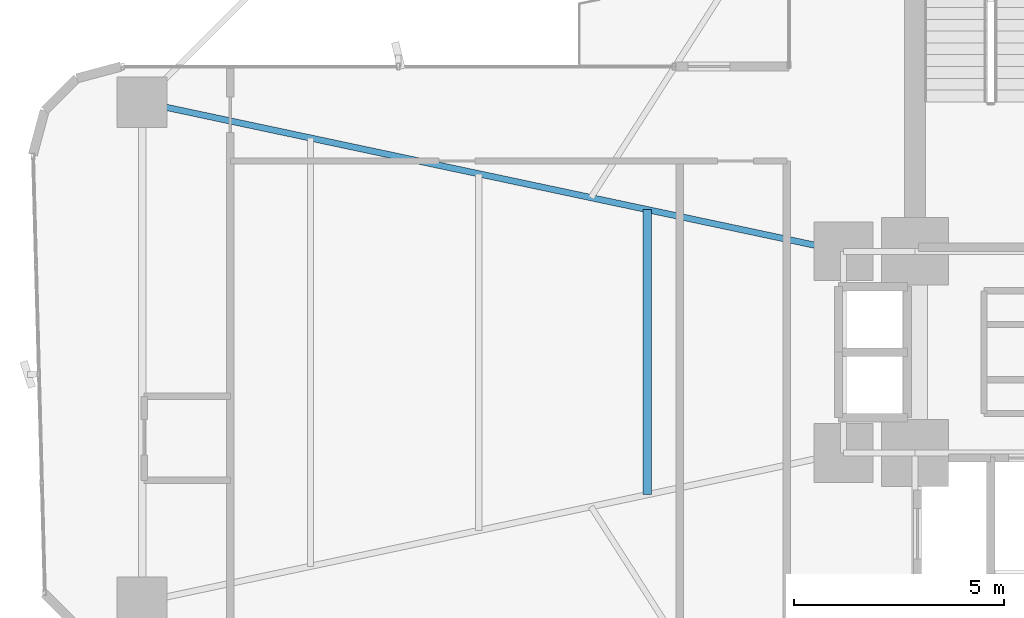
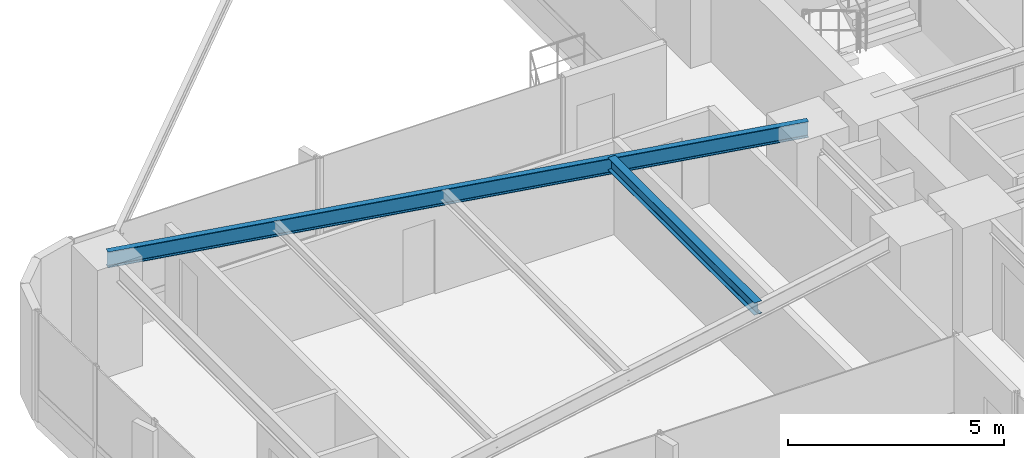
# One storey, part 9 of 25: 2 beams.
"""IFC4 building model written with IfcOpenShell, lengths in metres."""

from ifc_helpers import new_model, si_unit, direction, frame, origin, origin_2d, place, context, subcontext, project, spatial, i_section, extrude, source, transform, mapped, material, material_profile, profile_set, type_object, element, save


model = new_model("IFC4")

# Units and contexts
model_context = context("Model", 3, precision=1e-05, world=origin(), true_north=direction((0.0, 1.0)))
body_context = subcontext(model_context, "Body", "Model", "MODEL_VIEW")
ifc_project = project(units=[si_unit("LENGTHUNIT", "METRE"), si_unit("AREAUNIT", "SQUARE_METRE"), si_unit("VOLUMEUNIT", "CUBIC_METRE"), si_unit("PLANEANGLEUNIT", "RADIAN"), si_unit("MASSUNIT", "GRAM", prefix="KILO")], contexts=[model_context])

# Site, building, storey
site_placement = place(None, origin())
site = spatial("IfcSite", under=ifc_project, at=site_placement, CompositionType="ELEMENT")
building_placement = place(site_placement, origin())
building = spatial("IfcBuilding", under=site, at=building_placement, Name="Sahyath Konkavel Grand Hotel", CompositionType="ELEMENT")
storey_placement = place(building_placement, frame((0.0, 0.0, 36.5)))
storey = spatial("IfcBuildingStorey", under=building, at=storey_placement, Name="L09", CompositionType="ELEMENT", Elevation=36.5)

# Beams
ifc_material = material(Name="Steel E350", Category="steel")
ifc_material_profile_1 = material_profile(ifc_material, i_section(OverallWidth=0.14990234375, OverallDepth=0.449951171875, WebThickness=0.009521484375, FlangeThickness=0.017333984375, FilletRadius=0.014892578125, at=origin_2d()), Name="ISMB 450")
ifc_profile_set_1 = profile_set([ifc_material_profile_1], Name="Steel E350")
beam_type_1 = type_object("IfcBeamType", Name="BM-ISMB450", PredefinedType="BEAM", material=ifc_profile_set_1)
shared_shape_1 = source(origin(), body_context, "Body", "SweptSolid", [
    extrude(i_section(OverallWidth=0.14990234375, OverallDepth=0.449951171875, WebThickness=0.009521484375, FlangeThickness=0.017333984375, FilletRadius=0.014892578125, at=origin_2d()), origin(), (0.0, 0.0, 1.0), 17.072998046875),
])
beam_1_placement = place(storey_placement, frame((-5.5, 2.39990234375, 2.885009765625), z_axis=(-0.978143257225, 0.20793212437, 0.0), x_axis=(-0.20793212437, -0.978143257225, 0.0)))
element("IfcBeam", 1, at=beam_1_placement, inside=storey, type_object=beam_type_1, Name="L09 Cruciform Radial Girder WA", PredefinedType="BEAM", context=body_context, shape_type="MappedRepresentation", body=[
    mapped(shared_shape_1, transform((0.0, 0.0, 0.0), scale=1.0)),
])
ifc_material_profile_2 = material_profile(ifc_material, i_section(OverallWidth=0.199951171875, OverallDepth=0.35009765625, WebThickness=0.008056640625, FlangeThickness=0.011474609375, FilletRadius=0.013916015625, at=origin_2d()), Name="ISWB 350")
ifc_profile_set_2 = profile_set([ifc_material_profile_2], Name="Steel E350")
beam_type_2 = type_object("IfcBeamType", Name="BM-ISWB350", PredefinedType="BEAM", material=ifc_profile_set_2)
shared_shape_2 = source(origin(), body_context, "Body", "SweptSolid", [
    extrude(i_section(OverallWidth=0.199951171875, OverallDepth=0.35009765625, WebThickness=0.008056640625, FlangeThickness=0.011474609375, FilletRadius=0.013916015625, at=origin_2d()), origin(), (0.0, 0.0, 1.0), 6.7880859375),
])
beam_2_placement = place(storey_placement, frame((-10.176025390625, 3.39404296875, 2.93505859375), z_axis=(0.0, -1.0, 0.0), x_axis=(1.0, 0.0, 0.0)))
element("IfcBeam", 2, at=beam_2_placement, inside=storey, type_object=beam_type_2, Name="L09 Secondary Floor Beam W-1", PredefinedType="BEAM", context=body_context, shape_type="MappedRepresentation", body=[
    mapped(shared_shape_2, transform((0.0, 0.0, 0.0), scale=1.0)),
])

save(model, "model.ifc")
